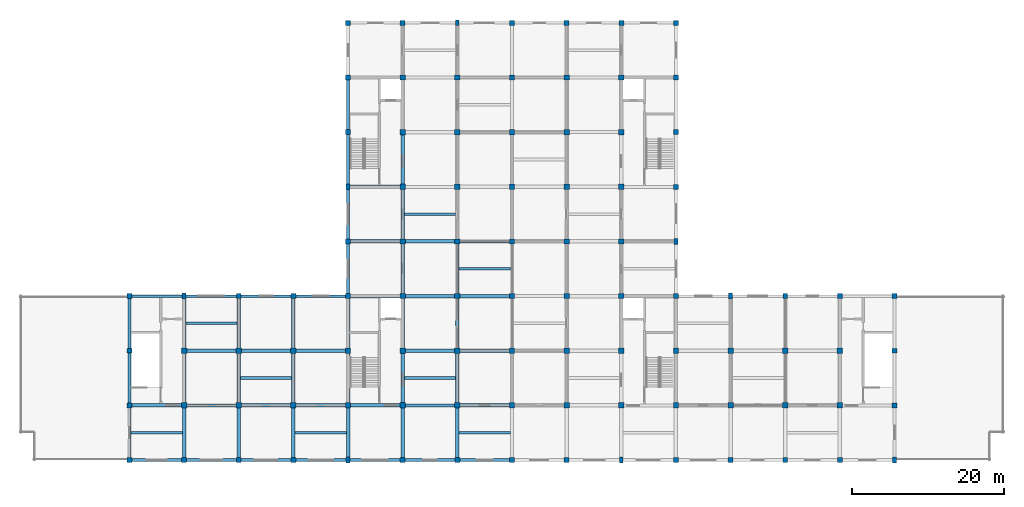
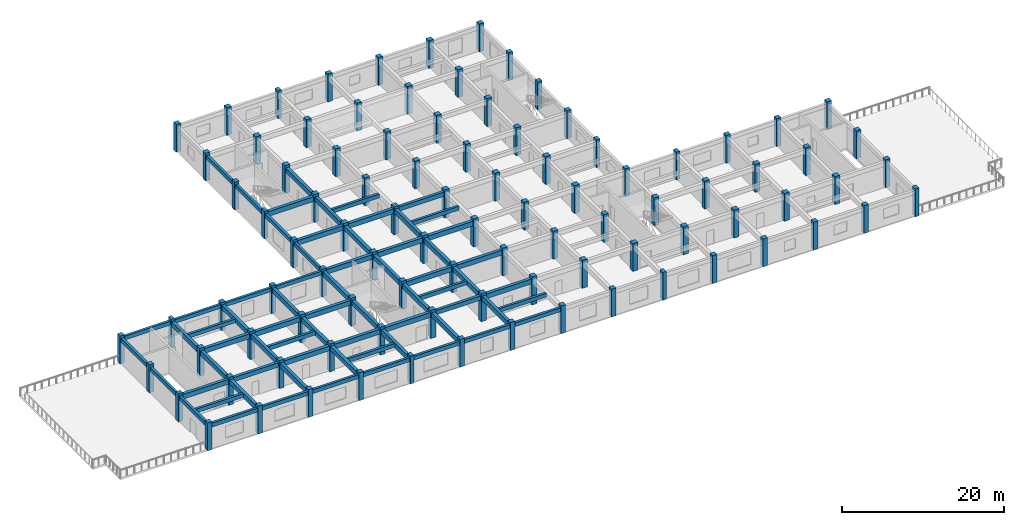
# One storey, part 1 of 10: 95 columns, 67 beams.
"""IFC4 building model written with IfcOpenShell, lengths in metres."""

from ifc_helpers import new_model, si_unit, direction, frame, origin, origin_2d, place, context, subcontext, project, spatial, rectangle, extrude, material, material_profile, profile_set, type_object, element, save


model = new_model("IFC4")

# Units and contexts
model_context = context("Model", 3, precision=1e-05, world=origin(), true_north=direction((0.0, 1.0)))
body_context = subcontext(model_context, "Body", "Model", "MODEL_VIEW")
ifc_project = project(units=[si_unit("LENGTHUNIT", "METRE"), si_unit("AREAUNIT", "SQUARE_METRE"), si_unit("VOLUMEUNIT", "CUBIC_METRE"), si_unit("PLANEANGLEUNIT", "RADIAN"), si_unit("MASSUNIT", "GRAM", prefix="KILO")], contexts=[model_context])

# Site, building, storey
site_placement = place(None, origin())
site = spatial("IfcSite", under=ifc_project, at=site_placement, CompositionType="ELEMENT")
building_placement = place(site_placement, origin())
building = spatial("IfcBuilding", under=site, at=building_placement, Name="Cendaluz Park School", CompositionType="ELEMENT")
storey_placement = place(building_placement, frame((0.0, 0.0, 30.60009765625)))
storey = spatial("IfcBuildingStorey", under=building, at=storey_placement, Name="L07", CompositionType="ELEMENT", Elevation=30.60009765625)

# Columns
ifc_material = material(Name="Concrete C40/50", Category="concrete")
ifc_material_profile_1 = material_profile(ifc_material, rectangle(XDim=0.5, YDim=0.75, at=origin_2d()), Name="RC 500x750", Category="concrete")
ifc_profile_set_1 = profile_set([ifc_material_profile_1], Name="Concrete C40/50")
column_type_1 = type_object("IfcColumnType", Name="C-PL01", PredefinedType="PILASTER", material=ifc_profile_set_1)
for number, where, z_axis, x_axis, name in (
    (1, (43.199951171875, 28.800048828125, 0.0), (0.0, 0.0, 1.0), (1.0, 0.0, 0.0), "C-L07-CPL01-008"),
    (2, (64.800048828125, 7.199951171875, 0.0), (0.0, 0.0, 1.0), (1.0, 0.0, 0.0), "C-L07-CPL01-017"),
    (3, (64.800048828125, 43.199951171875, 0.0), (0.0, 0.0, 1.0), (1.0, 0.0, 0.0), "C-L07-CPL01-022"),
    (4, (79.199951171875, 64.800048828125, 0.0), (0.0, 0.0, 1.0), (1.0, 0.0, 0.0), "C-L07-CPL01-043"),
    (5, (100.800048828125, 7.199951171875, 0.0), (0.0, 0.0, 1.0), (1.0, 0.0, 0.0), "C-L07-CPL01-062"),
    (6, (108.0, 36.0, 0.0), (0.0, 0.0, 1.0), (1.0, 0.0, 0.0), "C-L07-CPL01-075"),
    (7, (115.199951171875, 28.800048828125, 0.0), (0.0, 0.0, 1.0), (1.0, 0.0, 0.0), "C-L07-CPL01-083"),
    (8, (136.800048828125, 7.199951171875, 0.0), (0.0, 0.0, 1.0), (1.0, 0.0, 0.0), "C-L07-CPL01-092"),
):
    element("IfcColumn", number, at=place(storey_placement, frame(where, z_axis=z_axis, x_axis=x_axis)), inside=storey, type_object=column_type_1, Name=name, PredefinedType="PILASTER", context=body_context, shape_type="SweptSolid", body=[
        extrude(rectangle(XDim=0.5, YDim=0.75, at=origin_2d()), origin(), (0.0, 0.0, 1.0), 4.199951171875),
    ])
ifc_material_profile_2 = material_profile(ifc_material, rectangle(XDim=0.699951171875, YDim=0.699951171875, at=origin_2d()), Name="RC 700x700", Category="concrete")
ifc_profile_set_2 = profile_set([ifc_material_profile_2], Name="Concrete C40/50")
column_type_2 = type_object("IfcColumnType", Name="C-RC04", PredefinedType="COLUMN", material=ifc_profile_set_2)
for number, where, z_axis, x_axis, name in (
    (9, (43.199951171875, 14.39990234375, 0.0), (0.0, 0.0, 1.0), (1.0, 0.0, 0.0), "C-L07-CRC04-006"),
    (10, (43.199951171875, 21.60009765625, 0.0), (0.0, 0.0, 1.0), (1.0, 0.0, 0.0), "C-L07-CRC04-007"),
    (11, (50.39990234375, 14.39990234375, 0.0), (0.0, 0.0, 1.0), (1.0, 0.0, 0.0), "C-L07-CRC04-010"),
    (12, (50.39990234375, 21.60009765625, 0.0), (0.0, 0.0, 1.0), (1.0, 0.0, 0.0), "C-L07-CRC04-011"),
    (13, (57.60009765625, 14.39990234375, 0.0), (0.0, 0.0, 1.0), (1.0, 0.0, 0.0), "C-L07-CRC04-014"),
    (14, (57.60009765625, 21.60009765625, 0.0), (0.0, 0.0, 1.0), (1.0, 0.0, 0.0), "C-L07-CRC04-015"),
    (15, (64.800048828125, 14.39990234375, 0.0), (0.0, 0.0, 1.0), (1.0, 0.0, 0.0), "C-L07-CRC04-018"),
    (16, (64.800048828125, 21.60009765625, 0.0), (0.0, 0.0, 1.0), (1.0, 0.0, 0.0), "C-L07-CRC04-019"),
    (17, (72.0, 14.39990234375, 0.0), (0.0, 0.0, 1.0), (1.0, 0.0, 0.0), "C-L07-CRC04-027"),
    (18, (72.0, 21.60009765625, 0.0), (0.0, 0.0, 1.0), (1.0, 0.0, 0.0), "C-L07-CRC04-028"),
    (19, (72.0, 28.800048828125, 0.0), (0.0, 0.0, 1.0), (1.0, 0.0, 0.0), "C-L07-CRC04-029"),
    (20, (72.0, 36.0, 0.0), (0.0, 0.0, 1.0), (1.0, 0.0, 0.0), "C-L07-CRC04-030"),
    (21, (72.0, 43.199951171875, 0.0), (0.0, 0.0, 1.0), (1.0, 0.0, 0.0), "C-L07-CRC04-031"),
    (22, (72.0, 50.39990234375, 0.0), (0.0, 0.0, 1.0), (1.0, 0.0, 0.0), "C-L07-CRC04-032"),
    (23, (72.0, 57.60009765625, 0.0), (0.0, 0.0, 1.0), (1.0, 0.0, 0.0), "C-L07-CRC04-033"),
    (24, (79.199951171875, 14.39990234375, 0.0), (0.0, 0.0, 1.0), (1.0, 0.0, 0.0), "C-L07-CRC04-036"),
    (25, (79.199951171875, 21.60009765625, 0.0), (0.0, 0.0, 1.0), (1.0, 0.0, 0.0), "C-L07-CRC04-037"),
    (26, (79.199951171875, 28.800048828125, 0.0), (0.0, 0.0, 1.0), (1.0, 0.0, 0.0), "C-L07-CRC04-038"),
    (27, (79.199951171875, 36.0, 0.0), (0.0, 0.0, 1.0), (1.0, 0.0, 0.0), "C-L07-CRC04-039"),
    (28, (79.199951171875, 43.199951171875, 0.0), (0.0, 0.0, 1.0), (1.0, 0.0, 0.0), "C-L07-CRC04-040"),
    (29, (79.199951171875, 50.39990234375, 0.0), (0.0, 0.0, 1.0), (1.0, 0.0, 0.0), "C-L07-CRC04-041"),
    (30, (79.199951171875, 57.60009765625, 0.0), (0.0, 0.0, 1.0), (1.0, 0.0, 0.0), "C-L07-CRC04-042"),
    (31, (86.39990234375, 14.39990234375, 0.0), (0.0, 0.0, 1.0), (1.0, 0.0, 0.0), "C-L07-CRC04-045"),
    (32, (86.39990234375, 21.60009765625, 0.0), (0.0, 0.0, 1.0), (1.0, 0.0, 0.0), "C-L07-CRC04-046"),
    (33, (86.39990234375, 28.800048828125, 0.0), (0.0, 0.0, 1.0), (1.0, 0.0, 0.0), "C-L07-CRC04-047"),
    (34, (86.39990234375, 36.0, 0.0), (0.0, 0.0, 1.0), (1.0, 0.0, 0.0), "C-L07-CRC04-048"),
    (35, (86.39990234375, 43.199951171875, 0.0), (0.0, 0.0, 1.0), (1.0, 0.0, 0.0), "C-L07-CRC04-049"),
    (36, (86.39990234375, 50.39990234375, 0.0), (0.0, 0.0, 1.0), (1.0, 0.0, 0.0), "C-L07-CRC04-050"),
    (37, (86.39990234375, 57.60009765625, 0.0), (0.0, 0.0, 1.0), (1.0, 0.0, 0.0), "C-L07-CRC04-051"),
    (38, (93.60009765625, 14.39990234375, 0.0), (0.0, 0.0, 1.0), (1.0, 0.0, 0.0), "C-L07-CRC04-054"),
    (39, (93.60009765625, 21.60009765625, 0.0), (0.0, 0.0, 1.0), (1.0, 0.0, 0.0), "C-L07-CRC04-055"),
    (40, (93.60009765625, 28.800048828125, 0.0), (0.0, 0.0, 1.0), (1.0, 0.0, 0.0), "C-L07-CRC04-056"),
    (41, (93.60009765625, 36.0, 0.0), (0.0, 0.0, 1.0), (1.0, 0.0, 0.0), "C-L07-CRC04-057"),
    (42, (93.60009765625, 43.199951171875, 0.0), (0.0, 0.0, 1.0), (1.0, 0.0, 0.0), "C-L07-CRC04-058"),
    (43, (93.60009765625, 50.39990234375, 0.0), (0.0, 0.0, 1.0), (1.0, 0.0, 0.0), "C-L07-CRC04-059"),
    (44, (93.60009765625, 57.60009765625, 0.0), (0.0, 0.0, 1.0), (1.0, 0.0, 0.0), "C-L07-CRC04-060"),
    (45, (100.800048828125, 14.39990234375, 0.0), (0.0, 0.0, 1.0), (1.0, 0.0, 0.0), "C-L07-CRC04-063"),
    (46, (100.800048828125, 21.60009765625, 0.0), (0.0, 0.0, 1.0), (1.0, 0.0, 0.0), "C-L07-CRC04-064"),
    (47, (100.800048828125, 28.800048828125, 0.0), (0.0, 0.0, 1.0), (1.0, 0.0, 0.0), "C-L07-CRC04-065"),
    (48, (100.800048828125, 36.0, 0.0), (0.0, 0.0, 1.0), (1.0, 0.0, 0.0), "C-L07-CRC04-066"),
    (49, (100.800048828125, 43.199951171875, 0.0), (0.0, 0.0, 1.0), (1.0, 0.0, 0.0), "C-L07-CRC04-067"),
    (50, (100.800048828125, 50.39990234375, 0.0), (0.0, 0.0, 1.0), (1.0, 0.0, 0.0), "C-L07-CRC04-068"),
    (51, (100.800048828125, 57.60009765625, 0.0), (0.0, 0.0, 1.0), (1.0, 0.0, 0.0), "C-L07-CRC04-069"),
    (52, (108.0, 14.39990234375, 0.0), (0.0, 0.0, 1.0), (1.0, 0.0, 0.0), "C-L07-CRC04-072"),
    (53, (108.0, 21.60009765625, 0.0), (0.0, 0.0, 1.0), (1.0, 0.0, 0.0), "C-L07-CRC04-073"),
    (54, (115.199951171875, 14.39990234375, 0.0), (0.0, 0.0, 1.0), (1.0, 0.0, 0.0), "C-L07-CRC04-081"),
    (55, (115.199951171875, 21.60009765625, 0.0), (0.0, 0.0, 1.0), (1.0, 0.0, 0.0), "C-L07-CRC04-082"),
    (56, (122.39990234375, 14.39990234375, 0.0), (0.0, 0.0, 1.0), (1.0, 0.0, 0.0), "C-L07-CRC04-085"),
    (57, (122.39990234375, 21.60009765625, 0.0), (0.0, 0.0, 1.0), (1.0, 0.0, 0.0), "C-L07-CRC04-086"),
    (58, (129.60009765625, 14.39990234375, 0.0), (0.0, 0.0, 1.0), (1.0, 0.0, 0.0), "C-L07-CRC04-089"),
    (59, (129.60009765625, 21.60009765625, 0.0), (0.0, 0.0, 1.0), (1.0, 0.0, 0.0), "C-L07-CRC04-090"),
):
    element("IfcColumn", number, at=place(storey_placement, frame(where, z_axis=z_axis, x_axis=x_axis)), inside=storey, type_object=column_type_2, Name=name, PredefinedType="COLUMN", context=body_context, shape_type="SweptSolid", body=[
        extrude(rectangle(XDim=0.699951171875, YDim=0.699951171875, at=origin_2d()), origin(), (0.0, 0.0, 1.0), 4.199951171875),
    ])
ifc_material_profile_3 = material_profile(ifc_material, rectangle(XDim=0.64990234375, YDim=0.64990234375, at=origin_2d()), Name="RC 650x650", Category="concrete")
ifc_profile_set_3 = profile_set([ifc_material_profile_3], Name="Concrete C40/50")
column_type_3 = type_object("IfcColumnType", Name="C-RC05", PredefinedType="COLUMN", material=ifc_profile_set_3)
for number, where, z_axis, x_axis, name in (
    (60, (36.0, 7.199951171875, 0.0), (0.0, 0.0, 1.0), (1.0, 0.0, 0.0), "C-L07-CRC05-001"),
    (61, (36.0, 14.39990234375, 0.0), (0.0, 0.0, 1.0), (1.0, 0.0, 0.0), "C-L07-CRC05-002"),
    (62, (36.0, 21.60009765625, 0.0), (0.0, 0.0, 1.0), (1.0, 0.0, 0.0), "C-L07-CRC05-003"),
    (63, (36.0, 28.800048828125, 0.0), (0.0, 0.0, 1.0), (1.0, 0.0, 0.0), "C-L07-CRC05-004"),
    (64, (43.199951171875, 7.199951171875, 0.0), (0.0, 0.0, 1.0), (1.0, 0.0, 0.0), "C-L07-CRC05-005"),
    (65, (50.39990234375, 7.199951171875, 0.0), (0.0, 0.0, 1.0), (1.0, 0.0, 0.0), "C-L07-CRC05-009"),
    (66, (50.39990234375, 28.800048828125, 0.0), (0.0, 0.0, 1.0), (1.0, 0.0, 0.0), "C-L07-CRC05-012"),
    (67, (57.60009765625, 7.199951171875, 0.0), (0.0, 0.0, 1.0), (1.0, 0.0, 0.0), "C-L07-CRC05-013"),
    (68, (57.60009765625, 28.800048828125, 0.0), (0.0, 0.0, 1.0), (1.0, 0.0, 0.0), "C-L07-CRC05-016"),
    (69, (64.800048828125, 28.800048828125, 0.0), (0.0, 0.0, 1.0), (1.0, 0.0, 0.0), "C-L07-CRC05-020"),
    (70, (64.800048828125, 36.0, 0.0), (0.0, 0.0, 1.0), (1.0, 0.0, 0.0), "C-L07-CRC05-021"),
    (71, (64.800048828125, 50.39990234375, 0.0), (0.0, 0.0, 1.0), (1.0, 0.0, 0.0), "C-L07-CRC05-023"),
    (72, (64.800048828125, 57.60009765625, 0.0), (0.0, 0.0, 1.0), (1.0, 0.0, 0.0), "C-L07-CRC05-024"),
    (73, (64.800048828125, 64.800048828125, 0.0), (0.0, 0.0, 1.0), (1.0, 0.0, 0.0), "C-L07-CRC05-025"),
    (74, (72.0, 7.199951171875, 0.0), (0.0, 0.0, 1.0), (1.0, 0.0, 0.0), "C-L07-CRC05-026"),
    (75, (72.0, 64.800048828125, 0.0), (0.0, 0.0, 1.0), (1.0, 0.0, 0.0), "C-L07-CRC05-034"),
    (76, (79.199951171875, 7.199951171875, 0.0), (0.0, 0.0, 1.0), (1.0, 0.0, 0.0), "C-L07-CRC05-035"),
    (77, (86.39990234375, 7.199951171875, 0.0), (0.0, 0.0, 1.0), (1.0, 0.0, 0.0), "C-L07-CRC05-044"),
    (78, (86.39990234375, 64.800048828125, 0.0), (0.0, 0.0, 1.0), (1.0, 0.0, 0.0), "C-L07-CRC05-052"),
    (79, (93.60009765625, 7.199951171875, 0.0), (0.0, 0.0, 1.0), (1.0, 0.0, 0.0), "C-L07-CRC05-053"),
    (80, (93.60009765625, 64.800048828125, 0.0), (0.0, 0.0, 1.0), (1.0, 0.0, 0.0), "C-L07-CRC05-061"),
    (81, (100.800048828125, 64.800048828125, 0.0), (0.0, 0.0, 1.0), (1.0, 0.0, 0.0), "C-L07-CRC05-070"),
    (82, (108.0, 7.199951171875, 0.0), (0.0, 0.0, 1.0), (1.0, 0.0, 0.0), "C-L07-CRC05-071"),
    (83, (108.0, 28.800048828125, 0.0), (0.0, 0.0, 1.0), (1.0, 0.0, 0.0), "C-L07-CRC05-074"),
    (84, (108.0, 43.199951171875, 0.0), (0.0, 0.0, 1.0), (1.0, 0.0, 0.0), "C-L07-CRC05-076"),
    (85, (108.0, 50.39990234375, 0.0), (0.0, 0.0, 1.0), (1.0, 0.0, 0.0), "C-L07-CRC05-077"),
    (86, (108.0, 57.60009765625, 0.0), (0.0, 0.0, 1.0), (1.0, 0.0, 0.0), "C-L07-CRC05-078"),
    (87, (108.0, 64.800048828125, 0.0), (0.0, 0.0, 1.0), (1.0, 0.0, 0.0), "C-L07-CRC05-079"),
    (88, (115.199951171875, 7.199951171875, 0.0), (0.0, 0.0, 1.0), (1.0, 0.0, 0.0), "C-L07-CRC05-080"),
    (89, (122.39990234375, 7.199951171875, 0.0), (0.0, 0.0, 1.0), (1.0, 0.0, 0.0), "C-L07-CRC05-084"),
    (90, (122.39990234375, 28.800048828125, 0.0), (0.0, 0.0, 1.0), (1.0, 0.0, 0.0), "C-L07-CRC05-087"),
    (91, (129.60009765625, 7.199951171875, 0.0), (0.0, 0.0, 1.0), (1.0, 0.0, 0.0), "C-L07-CRC05-088"),
    (92, (129.60009765625, 28.800048828125, 0.0), (0.0, 0.0, 1.0), (1.0, 0.0, 0.0), "C-L07-CRC05-091"),
    (93, (136.800048828125, 14.39990234375, 0.0), (0.0, 0.0, 1.0), (1.0, 0.0, 0.0), "C-L07-CRC05-093"),
    (94, (136.800048828125, 21.60009765625, 0.0), (0.0, 0.0, 1.0), (1.0, 0.0, 0.0), "C-L07-CRC05-094"),
    (95, (136.800048828125, 28.800048828125, 0.0), (0.0, 0.0, 1.0), (1.0, 0.0, 0.0), "C-L07-CRC05-095"),
):
    element("IfcColumn", number, at=place(storey_placement, frame(where, z_axis=z_axis, x_axis=x_axis)), inside=storey, type_object=column_type_3, Name=name, PredefinedType="COLUMN", context=body_context, shape_type="SweptSolid", body=[
        extrude(rectangle(XDim=0.64990234375, YDim=0.64990234375, at=origin_2d()), origin(), (0.0, 0.0, 1.0), 4.199951171875),
    ])

# Beams
ifc_material_profile_4 = material_profile(ifc_material, rectangle(XDim=0.449951171875, YDim=0.719970703125, at=origin_2d()), Name="RC 450x720", Category="concrete")
ifc_profile_set_4 = profile_set([ifc_material_profile_4], Name="Concrete C40/50")
beam_type_1 = type_object("IfcBeamType", Name="BM-RC02", PredefinedType="BEAM", material=ifc_profile_set_4)
beam_1_placement = place(storey_placement, frame((36.324951171875, 14.39990234375, 3.469970703125), z_axis=(1.0, 0.0, 0.0), x_axis=(0.0, 1.0, 0.0)))
element("IfcBeam", 96, at=beam_1_placement, inside=storey, type_object=beam_type_1, Name="BM-L07-BMRC02-0002", PredefinedType="BEAM", context=body_context, shape_type="SweptSolid", body=[
    extrude(rectangle(XDim=0.449951171875, YDim=0.719970703125, at=origin_2d()), origin(), (0.0, 0.0, 1.0), 6.525146484375),
])
for number, where, z_axis, x_axis, name in (
    (97, (43.550048828125, 21.60009765625, 3.469970703125), (1.0, 0.0, 0.0), (0.0, 1.0, 0.0), "BM-L07-BMRC02-0006"),
    (98, (50.75, 14.39990234375, 3.469970703125), (1.0, 0.0, 0.0), (0.0, 1.0, 0.0), "BM-L07-BMRC02-0009"),
    (99, (50.75, 21.60009765625, 3.469970703125), (1.0, 0.0, 0.0), (0.0, 1.0, 0.0), "BM-L07-BMRC02-0010"),
    (100, (57.949951171875, 14.39990234375, 3.469970703125), (1.0, 0.0, 0.0), (0.0, 1.0, 0.0), "BM-L07-BMRC02-0013"),
    (101, (57.949951171875, 21.60009765625, 3.469970703125), (1.0, 0.0, 0.0), (0.0, 1.0, 0.0), "BM-L07-BMRC02-0014"),
    (102, (65.14990234375, 14.39990234375, 3.469970703125), (1.0, 0.0, 0.0), (0.0, 1.0, 0.0), "BM-L07-BMRC02-0017"),
):
    element("IfcBeam", number, at=place(storey_placement, frame(where, z_axis=z_axis, x_axis=x_axis)), inside=storey, type_object=beam_type_1, Name=name, PredefinedType="BEAM", context=body_context, shape_type="SweptSolid", body=[
        extrude(rectangle(XDim=0.449951171875, YDim=0.719970703125, at=origin_2d()), origin(), (0.0, 0.0, 1.0), 6.5),
    ])
for number, where, z_axis, x_axis, name in (
    (103, (65.125, 28.800048828125, 3.469970703125), (1.0, 0.0, 0.0), (0.0, 1.0, 0.0), "BM-L07-BMRC02-0018"),
    (104, (65.125, 36.0, 3.469970703125), (1.0, 0.0, 0.0), (0.0, 1.0, 0.0), "BM-L07-BMRC02-0019"),
):
    element("IfcBeam", number, at=place(storey_placement, frame(where, z_axis=z_axis, x_axis=x_axis)), inside=storey, type_object=beam_type_1, Name=name, PredefinedType="BEAM", context=body_context, shape_type="SweptSolid", body=[
        extrude(rectangle(XDim=0.449951171875, YDim=0.719970703125, at=origin_2d()), origin(), (0.0, 0.0, 1.0), 6.52490234375),
    ])
beam_2_placement = place(storey_placement, frame((65.050048828125, 43.199951171875, 3.469970703125), z_axis=(1.0, 0.0, 0.0), x_axis=(0.0, 1.0, 0.0)))
element("IfcBeam", 105, at=beam_2_placement, inside=storey, type_object=beam_type_1, Name="BM-L07-BMRC02-0020", PredefinedType="BEAM", context=body_context, shape_type="SweptSolid", body=[
    extrude(rectangle(XDim=0.449951171875, YDim=0.719970703125, at=origin_2d()), origin(), (0.0, 0.0, 1.0), 6.599853515625),
])
for number, where, z_axis, x_axis, name in (
    (106, (72.35009765625, 21.60009765625, 3.469970703125), (1.0, 0.0, 0.0), (0.0, 1.0, 0.0), "BM-L07-BMRC02-0025"),
    (107, (72.35009765625, 28.800048828125, 3.469970703125), (1.0, 0.0, 0.0), (0.0, 1.0, 0.0), "BM-L07-BMRC02-0026"),
    (108, (72.35009765625, 36.0, 3.469970703125), (1.0, 0.0, 0.0), (0.0, 1.0, 0.0), "BM-L07-BMRC02-0027"),
    (109, (79.550048828125, 14.39990234375, 3.469970703125), (1.0, 0.0, 0.0), (0.0, 1.0, 0.0), "BM-L07-BMRC02-0033"),
    (110, (79.550048828125, 21.60009765625, 3.469970703125), (1.0, 0.0, 0.0), (0.0, 1.0, 0.0), "BM-L07-BMRC02-0034"),
    (111, (79.550048828125, 28.800048828125, 3.469970703125), (1.0, 0.0, 0.0), (0.0, 1.0, 0.0), "BM-L07-BMRC02-0035"),
):
    element("IfcBeam", number, at=place(storey_placement, frame(where, z_axis=z_axis, x_axis=x_axis)), inside=storey, type_object=beam_type_1, Name=name, PredefinedType="BEAM", context=body_context, shape_type="SweptSolid", body=[
        extrude(rectangle(XDim=0.449951171875, YDim=0.719970703125, at=origin_2d()), origin(), (0.0, 0.0, 1.0), 6.5),
    ])
beam_3_placement = place(storey_placement, frame((43.199951171875, 7.52490234375, 3.469970703125), z_axis=(0.0, 1.0, 0.0), x_axis=(-1.0, 0.0, 0.0)))
element("IfcBeam", 112, at=beam_3_placement, inside=storey, type_object=beam_type_1, Name="BM-L07-BMRC02-0084", PredefinedType="BEAM", context=body_context, shape_type="SweptSolid", body=[
    extrude(rectangle(XDim=0.449951171875, YDim=0.719970703125, at=origin_2d()), origin(), (0.0, 0.0, 1.0), 6.525146484375),
])
beam_4_placement = place(storey_placement, frame((43.199951171875, 14.75, 3.469970703125), z_axis=(0.0, 1.0, 0.0), x_axis=(-1.0, 0.0, 0.0)))
element("IfcBeam", 113, at=beam_4_placement, inside=storey, type_object=beam_type_1, Name="BM-L07-BMRC02-0085", PredefinedType="BEAM", context=body_context, shape_type="SweptSolid", body=[
    extrude(rectangle(XDim=0.449951171875, YDim=0.719970703125, at=origin_2d()), origin(), (0.0, 0.0, 1.0), 6.5),
])
beam_5_placement = place(storey_placement, frame((43.199951171875, 21.949951171875, 3.469970703125), z_axis=(0.0, 1.0, 0.0), x_axis=(-1.0, 0.0, 0.0)))
element("IfcBeam", 114, at=beam_5_placement, inside=storey, type_object=beam_type_1, Name="BM-L07-BMRC02-0086", PredefinedType="BEAM", context=body_context, shape_type="SweptSolid", body=[
    extrude(rectangle(XDim=0.449951171875, YDim=0.719970703125, at=origin_2d()), origin(), (0.0, 0.0, 1.0), 6.47509765625),
])
beam_6_placement = place(storey_placement, frame((50.39990234375, 7.52490234375, 3.469970703125), z_axis=(0.0, 1.0, 0.0), x_axis=(-1.0, 0.0, 0.0)))
element("IfcBeam", 115, at=beam_6_placement, inside=storey, type_object=beam_type_1, Name="BM-L07-BMRC02-0087", PredefinedType="BEAM", context=body_context, shape_type="SweptSolid", body=[
    extrude(rectangle(XDim=0.449951171875, YDim=0.719970703125, at=origin_2d()), origin(), (0.0, 0.0, 1.0), 6.525146484375),
])
beam_7_placement = place(storey_placement, frame((50.39990234375, 14.75, 3.469970703125), z_axis=(0.0, 1.0, 0.0), x_axis=(-1.0, 0.0, 0.0)))
element("IfcBeam", 116, at=beam_7_placement, inside=storey, type_object=beam_type_1, Name="BM-L07-BMRC02-0088", PredefinedType="BEAM", context=body_context, shape_type="SweptSolid", body=[
    extrude(rectangle(XDim=0.449951171875, YDim=0.719970703125, at=origin_2d()), origin(), (0.0, 0.0, 1.0), 6.5),
])
for number, where, z_axis, x_axis, name in (
    (117, (50.39990234375, 21.949951171875, 3.469970703125), (0.0, 1.0, 0.0), (-1.0, 0.0, 0.0), "BM-L07-BMRC02-0089"),
    (118, (57.60009765625, 7.52490234375, 3.469970703125), (0.0, 1.0, 0.0), (-1.0, 0.0, 0.0), "BM-L07-BMRC02-0090"),
):
    element("IfcBeam", number, at=place(storey_placement, frame(where, z_axis=z_axis, x_axis=x_axis)), inside=storey, type_object=beam_type_1, Name=name, PredefinedType="BEAM", context=body_context, shape_type="SweptSolid", body=[
        extrude(rectangle(XDim=0.449951171875, YDim=0.719970703125, at=origin_2d()), origin(), (0.0, 0.0, 1.0), 6.525146484375),
    ])
beam_8_placement = place(storey_placement, frame((57.60009765625, 14.75, 3.469970703125), z_axis=(0.0, 1.0, 0.0), x_axis=(-1.0, 0.0, 0.0)))
element("IfcBeam", 119, at=beam_8_placement, inside=storey, type_object=beam_type_1, Name="BM-L07-BMRC02-0091", PredefinedType="BEAM", context=body_context, shape_type="SweptSolid", body=[
    extrude(rectangle(XDim=0.449951171875, YDim=0.719970703125, at=origin_2d()), origin(), (0.0, 0.0, 1.0), 6.5),
])
beam_9_placement = place(storey_placement, frame((57.60009765625, 21.949951171875, 3.469970703125), z_axis=(0.0, 1.0, 0.0), x_axis=(-1.0, 0.0, 0.0)))
element("IfcBeam", 120, at=beam_9_placement, inside=storey, type_object=beam_type_1, Name="BM-L07-BMRC02-0092", PredefinedType="BEAM", context=body_context, shape_type="SweptSolid", body=[
    extrude(rectangle(XDim=0.449951171875, YDim=0.719970703125, at=origin_2d()), origin(), (0.0, 0.0, 1.0), 6.525146484375),
])
beam_10_placement = place(storey_placement, frame((64.800048828125, 7.574951171875, 3.469970703125), z_axis=(0.0, 1.0, 0.0), x_axis=(-1.0, 0.0, 0.0)))
element("IfcBeam", 121, at=beam_10_placement, inside=storey, type_object=beam_type_1, Name="BM-L07-BMRC02-0093", PredefinedType="BEAM", context=body_context, shape_type="SweptSolid", body=[
    extrude(rectangle(XDim=0.449951171875, YDim=0.719970703125, at=origin_2d()), origin(), (0.0, 0.0, 1.0), 6.47509765625),
])
beam_11_placement = place(storey_placement, frame((64.800048828125, 14.75, 3.469970703125), z_axis=(0.0, 1.0, 0.0), x_axis=(-1.0, 0.0, 0.0)))
element("IfcBeam", 122, at=beam_11_placement, inside=storey, type_object=beam_type_1, Name="BM-L07-BMRC02-0094", PredefinedType="BEAM", context=body_context, shape_type="SweptSolid", body=[
    extrude(rectangle(XDim=0.449951171875, YDim=0.719970703125, at=origin_2d()), origin(), (0.0, 0.0, 1.0), 6.5),
])
for number, where, z_axis, x_axis, name in (
    (123, (64.800048828125, 21.949951171875, 3.469970703125), (0.0, 1.0, 0.0), (-1.0, 0.0, 0.0), "BM-L07-BMRC02-0095"),
    (124, (72.0, 7.52490234375, 3.469970703125), (0.0, 1.0, 0.0), (-1.0, 0.0, 0.0), "BM-L07-BMRC02-0101"),
):
    element("IfcBeam", number, at=place(storey_placement, frame(where, z_axis=z_axis, x_axis=x_axis)), inside=storey, type_object=beam_type_1, Name=name, PredefinedType="BEAM", context=body_context, shape_type="SweptSolid", body=[
        extrude(rectangle(XDim=0.449951171875, YDim=0.719970703125, at=origin_2d()), origin(), (0.0, 0.0, 1.0), 6.525146484375),
    ])
for number, where, z_axis, x_axis, name in (
    (125, (72.0, 14.75, 3.469970703125), (0.0, 1.0, 0.0), (-1.0, 0.0, 0.0), "BM-L07-BMRC02-0102"),
    (126, (72.0, 21.949951171875, 3.469970703125), (0.0, 1.0, 0.0), (-1.0, 0.0, 0.0), "BM-L07-BMRC02-0103"),
    (127, (72.0, 29.14990234375, 3.469970703125), (0.0, 1.0, 0.0), (-1.0, 0.0, 0.0), "BM-L07-BMRC02-0104"),
    (128, (72.0, 36.35009765625, 3.469970703125), (0.0, 1.0, 0.0), (-1.0, 0.0, 0.0), "BM-L07-BMRC02-0105"),
    (129, (72.0, 43.550048828125, 3.469970703125), (0.0, 1.0, 0.0), (-1.0, 0.0, 0.0), "BM-L07-BMRC02-0106"),
):
    element("IfcBeam", number, at=place(storey_placement, frame(where, z_axis=z_axis, x_axis=x_axis)), inside=storey, type_object=beam_type_1, Name=name, PredefinedType="BEAM", context=body_context, shape_type="SweptSolid", body=[
        extrude(rectangle(XDim=0.449951171875, YDim=0.719970703125, at=origin_2d()), origin(), (0.0, 0.0, 1.0), 6.5),
    ])
beam_12_placement = place(storey_placement, frame((79.199951171875, 7.52490234375, 3.469970703125), z_axis=(0.0, 1.0, 0.0), x_axis=(-1.0, 0.0, 0.0)))
element("IfcBeam", 130, at=beam_12_placement, inside=storey, type_object=beam_type_1, Name="BM-L07-BMRC02-0109", PredefinedType="BEAM", context=body_context, shape_type="SweptSolid", body=[
    extrude(rectangle(XDim=0.449951171875, YDim=0.719970703125, at=origin_2d()), origin(), (0.0, 0.0, 1.0), 6.525146484375),
])
for number, where, z_axis, x_axis, name in (
    (131, (79.199951171875, 14.75, 3.469970703125), (0.0, 1.0, 0.0), (-1.0, 0.0, 0.0), "BM-L07-BMRC02-0110"),
    (132, (79.199951171875, 21.949951171875, 3.469970703125), (0.0, 1.0, 0.0), (-1.0, 0.0, 0.0), "BM-L07-BMRC02-0111"),
    (133, (79.199951171875, 29.14990234375, 3.469970703125), (0.0, 1.0, 0.0), (-1.0, 0.0, 0.0), "BM-L07-BMRC02-0112"),
):
    element("IfcBeam", number, at=place(storey_placement, frame(where, z_axis=z_axis, x_axis=x_axis)), inside=storey, type_object=beam_type_1, Name=name, PredefinedType="BEAM", context=body_context, shape_type="SweptSolid", body=[
        extrude(rectangle(XDim=0.449951171875, YDim=0.719970703125, at=origin_2d()), origin(), (0.0, 0.0, 1.0), 6.5),
    ])
ifc_material_profile_5 = material_profile(ifc_material, rectangle(XDim=0.39990234375, YDim=0.64990234375, at=origin_2d()), Name="RC 400x650", Category="concrete")
ifc_profile_set_5 = profile_set([ifc_material_profile_5], Name="Concrete C40/50")
beam_type_2 = type_object("IfcBeamType", Name="BM-RC03", PredefinedType="T_BEAM", material=ifc_profile_set_5)
for number, where, z_axis, x_axis, name in (
    (134, (43.550048828125, 14.39990234375, 3.5048828125), (1.0, 0.0, 0.0), (0.0, 1.0, 0.0), "BM-L07-BMRC03-0005"),
    (135, (72.35009765625, 14.39990234375, 3.5048828125), (1.0, 0.0, 0.0), (0.0, 1.0, 0.0), "BM-L07-BMRC03-0024"),
    (136, (79.550048828125, 36.0, 3.5048828125), (1.0, 0.0, 0.0), (0.0, 1.0, 0.0), "BM-L07-BMRC03-0036"),
):
    element("IfcBeam", number, at=place(storey_placement, frame(where, z_axis=z_axis, x_axis=x_axis)), inside=storey, type_object=beam_type_2, Name=name, PredefinedType="T_BEAM", context=body_context, shape_type="SweptSolid", body=[
        extrude(rectangle(XDim=0.39990234375, YDim=0.64990234375, at=origin_2d()), origin(), (0.0, 0.0, 1.0), 6.5),
    ])
ifc_material_profile_6 = material_profile(ifc_material, rectangle(XDim=0.35009765625, YDim=0.580078125, at=origin_2d()), Name="RC 350x580", Category="concrete")
ifc_profile_set_6 = profile_set([ifc_material_profile_6], Name="Concrete C40/50")
beam_type_3 = type_object("IfcBeamType", Name="BM-RC04", PredefinedType="LINTEL", material=ifc_profile_set_6)
beam_13_placement = place(storey_placement, frame((36.324951171875, 7.199951171875, 3.539794921875), z_axis=(1.0, 0.0, 0.0), x_axis=(0.0, 1.0, 0.0)))
element("IfcBeam", 137, at=beam_13_placement, inside=storey, type_object=beam_type_3, Name="BM-L07-BMRC04-0001", PredefinedType="LINTEL", context=body_context, shape_type="SweptSolid", body=[
    extrude(rectangle(XDim=0.35009765625, YDim=0.580078125, at=origin_2d()), origin(), (0.0, 0.0, 1.0), 6.550048828125),
])
beam_14_placement = place(storey_placement, frame((36.324951171875, 28.800048828125, 3.539794921875), z_axis=(1.0, 0.0, 0.0), x_axis=(0.0, 1.0, 0.0)))
element("IfcBeam", 138, at=beam_14_placement, inside=storey, type_object=beam_type_3, Name="BM-L07-BMRC04-0003", PredefinedType="LINTEL", context=body_context, shape_type="SweptSolid", body=[
    extrude(rectangle(XDim=0.35009765625, YDim=0.580078125, at=origin_2d()), origin(), (0.0, 0.0, 1.0), 6.625),
])
beam_15_placement = place(storey_placement, frame((43.52490234375, 7.199951171875, 3.539794921875), z_axis=(1.0, 0.0, 0.0), x_axis=(0.0, 1.0, 0.0)))
element("IfcBeam", 139, at=beam_15_placement, inside=storey, type_object=beam_type_3, Name="BM-L07-BMRC04-0004", PredefinedType="LINTEL", context=body_context, shape_type="SweptSolid", body=[
    extrude(rectangle(XDim=0.35009765625, YDim=0.580078125, at=origin_2d()), origin(), (0.0, 0.0, 1.0), 6.550048828125),
])
beam_16_placement = place(storey_placement, frame((43.449951171875, 28.800048828125, 3.539794921875), z_axis=(1.0, 0.0, 0.0), x_axis=(0.0, 1.0, 0.0)))
element("IfcBeam", 140, at=beam_16_placement, inside=storey, type_object=beam_type_3, Name="BM-L07-BMRC04-0007", PredefinedType="LINTEL", context=body_context, shape_type="SweptSolid", body=[
    extrude(rectangle(XDim=0.35009765625, YDim=0.580078125, at=origin_2d()), origin(), (0.0, 0.0, 1.0), 6.625),
])
for number, where, z_axis, x_axis, name in (
    (141, (50.72509765625, 7.199951171875, 3.539794921875), (1.0, 0.0, 0.0), (0.0, 1.0, 0.0), "BM-L07-BMRC04-0008"),
    (142, (50.72509765625, 28.800048828125, 3.539794921875), (1.0, 0.0, 0.0), (0.0, 1.0, 0.0), "BM-L07-BMRC04-0011"),
):
    element("IfcBeam", number, at=place(storey_placement, frame(where, z_axis=z_axis, x_axis=x_axis)), inside=storey, type_object=beam_type_3, Name=name, PredefinedType="LINTEL", context=body_context, shape_type="SweptSolid", body=[
        extrude(rectangle(XDim=0.35009765625, YDim=0.580078125, at=origin_2d()), origin(), (0.0, 0.0, 1.0), 6.5498046875),
    ])
beam_17_placement = place(storey_placement, frame((57.925048828125, 7.199951171875, 3.539794921875), z_axis=(1.0, 0.0, 0.0), x_axis=(0.0, 1.0, 0.0)))
element("IfcBeam", 143, at=beam_17_placement, inside=storey, type_object=beam_type_3, Name="BM-L07-BMRC04-0012", PredefinedType="LINTEL", context=body_context, shape_type="SweptSolid", body=[
    extrude(rectangle(XDim=0.35009765625, YDim=0.580078125, at=origin_2d()), origin(), (0.0, 0.0, 1.0), 6.625),
])
beam_18_placement = place(storey_placement, frame((57.925048828125, 28.800048828125, 3.539794921875), z_axis=(1.0, 0.0, 0.0), x_axis=(0.0, 1.0, 0.0)))
element("IfcBeam", 144, at=beam_18_placement, inside=storey, type_object=beam_type_3, Name="BM-L07-BMRC04-0015", PredefinedType="LINTEL", context=body_context, shape_type="SweptSolid", body=[
    extrude(rectangle(XDim=0.35009765625, YDim=0.580078125, at=origin_2d()), origin(), (0.0, 0.0, 1.0), 6.550048828125),
])
beam_19_placement = place(storey_placement, frame((65.050048828125, 7.199951171875, 3.539794921875), z_axis=(1.0, 0.0, 0.0), x_axis=(0.0, 1.0, 0.0)))
element("IfcBeam", 145, at=beam_19_placement, inside=storey, type_object=beam_type_3, Name="BM-L07-BMRC04-0016", PredefinedType="LINTEL", context=body_context, shape_type="SweptSolid", body=[
    extrude(rectangle(XDim=0.35009765625, YDim=0.580078125, at=origin_2d()), origin(), (0.0, 0.0, 1.0), 6.625),
])
for number, where, z_axis, x_axis, name in (
    (146, (72.324951171875, 7.199951171875, 3.539794921875), (1.0, 0.0, 0.0), (0.0, 1.0, 0.0), "BM-L07-BMRC04-0023"),
    (147, (79.52490234375, 7.199951171875, 3.539794921875), (1.0, 0.0, 0.0), (0.0, 1.0, 0.0), "BM-L07-BMRC04-0032"),
    (148, (36.0, 7.52490234375, 3.539794921875), (0.0, 1.0, 0.0), (-1.0, 0.0, 0.0), "BM-L07-BMRC04-0081"),
):
    element("IfcBeam", number, at=place(storey_placement, frame(where, z_axis=z_axis, x_axis=x_axis)), inside=storey, type_object=beam_type_3, Name=name, PredefinedType="LINTEL", context=body_context, shape_type="SweptSolid", body=[
        extrude(rectangle(XDim=0.35009765625, YDim=0.580078125, at=origin_2d()), origin(), (0.0, 0.0, 1.0), 6.550048828125),
    ])
beam_20_placement = place(storey_placement, frame((36.0, 14.72509765625, 3.539794921875), z_axis=(0.0, 1.0, 0.0), x_axis=(-1.0, 0.0, 0.0)))
element("IfcBeam", 149, at=beam_20_placement, inside=storey, type_object=beam_type_3, Name="BM-L07-BMRC04-0082", PredefinedType="LINTEL", context=body_context, shape_type="SweptSolid", body=[
    extrude(rectangle(XDim=0.35009765625, YDim=0.580078125, at=origin_2d()), origin(), (0.0, 0.0, 1.0), 6.5498046875),
])
for number, where, z_axis, x_axis, name in (
    (150, (36.0, 21.925048828125, 3.539794921875), (0.0, 1.0, 0.0), (-1.0, 0.0, 0.0), "BM-L07-BMRC04-0083"),
    (151, (64.800048828125, 29.125, 3.539794921875), (0.0, 1.0, 0.0), (-1.0, 0.0, 0.0), "BM-L07-BMRC04-0096"),
):
    element("IfcBeam", number, at=place(storey_placement, frame(where, z_axis=z_axis, x_axis=x_axis)), inside=storey, type_object=beam_type_3, Name=name, PredefinedType="LINTEL", context=body_context, shape_type="SweptSolid", body=[
        extrude(rectangle(XDim=0.35009765625, YDim=0.580078125, at=origin_2d()), origin(), (0.0, 0.0, 1.0), 6.550048828125),
    ])
for number, where, z_axis, x_axis, name in (
    (152, (64.800048828125, 36.324951171875, 3.539794921875), (0.0, 1.0, 0.0), (-1.0, 0.0, 0.0), "BM-L07-BMRC04-0097"),
    (153, (64.800048828125, 43.574951171875, 3.539794921875), (0.0, 1.0, 0.0), (-1.0, 0.0, 0.0), "BM-L07-BMRC04-0098"),
):
    element("IfcBeam", number, at=place(storey_placement, frame(where, z_axis=z_axis, x_axis=x_axis)), inside=storey, type_object=beam_type_3, Name=name, PredefinedType="LINTEL", context=body_context, shape_type="SweptSolid", body=[
        extrude(rectangle(XDim=0.35009765625, YDim=0.580078125, at=origin_2d()), origin(), (0.0, 0.0, 1.0), 6.5),
    ])
beam_21_placement = place(storey_placement, frame((64.800048828125, 50.72509765625, 3.539794921875), z_axis=(0.0, 1.0, 0.0), x_axis=(-1.0, 0.0, 0.0)))
element("IfcBeam", 154, at=beam_21_placement, inside=storey, type_object=beam_type_3, Name="BM-L07-BMRC04-0099", PredefinedType="LINTEL", context=body_context, shape_type="SweptSolid", body=[
    extrude(rectangle(XDim=0.35009765625, YDim=0.580078125, at=origin_2d()), origin(), (0.0, 0.0, 1.0), 6.5498046875),
])
ifc_material_profile_7 = material_profile(ifc_material, rectangle(XDim=0.35009765625, YDim=0.580078125, at=origin_2d()), Name="RC 350x580", Category="concrete")
ifc_profile_set_7 = profile_set([ifc_material_profile_7], Name="Concrete C40/50")
beam_type_4 = type_object("IfcBeamType", Name="JT-RC01", PredefinedType="JOIST", material=ifc_profile_set_7)
beam_22_placement = place(storey_placement, frame((36.175048828125, 10.800048828125, 3.539794921875), z_axis=(1.0, 0.0, 0.0), x_axis=(0.0, 1.0, 0.0)))
element("IfcBeam", 155, at=beam_22_placement, inside=storey, type_object=beam_type_4, Name="BM-L07-JTRC01-0161", PredefinedType="JOIST", context=body_context, shape_type="SweptSolid", body=[
    extrude(rectangle(XDim=0.35009765625, YDim=0.580078125, at=origin_2d()), origin(), (0.0, 0.0, 1.0), 6.800048828125),
])
for number, where, z_axis, x_axis, name in (
    (156, (43.425048828125, 25.199951171875, 3.539794921875), (1.0, 0.0, 0.0), (0.0, 1.0, 0.0), "BM-L07-JTRC01-0162"),
    (157, (50.625, 18.0, 3.539794921875), (1.0, 0.0, 0.0), (0.0, 1.0, 0.0), "BM-L07-JTRC01-0163"),
    (158, (57.824951171875, 10.800048828125, 3.539794921875), (1.0, 0.0, 0.0), (0.0, 1.0, 0.0), "BM-L07-JTRC01-0164"),
    (159, (72.22509765625, 18.0, 3.539794921875), (1.0, 0.0, 0.0), (0.0, 1.0, 0.0), "BM-L07-JTRC01-0165"),
    (160, (72.22509765625, 39.60009765625, 3.539794921875), (1.0, 0.0, 0.0), (0.0, 1.0, 0.0), "BM-L07-JTRC01-0166"),
    (161, (79.425048828125, 10.800048828125, 3.539794921875), (1.0, 0.0, 0.0), (0.0, 1.0, 0.0), "BM-L07-JTRC01-0168"),
    (162, (79.425048828125, 32.39990234375, 3.539794921875), (1.0, 0.0, 0.0), (0.0, 1.0, 0.0), "BM-L07-JTRC01-0169"),
):
    element("IfcBeam", number, at=place(storey_placement, frame(where, z_axis=z_axis, x_axis=x_axis)), inside=storey, type_object=beam_type_4, Name=name, PredefinedType="JOIST", context=body_context, shape_type="SweptSolid", body=[
        extrude(rectangle(XDim=0.35009765625, YDim=0.580078125, at=origin_2d()), origin(), (0.0, 0.0, 1.0), 6.75),
    ])

save(model, "model.ifc")
